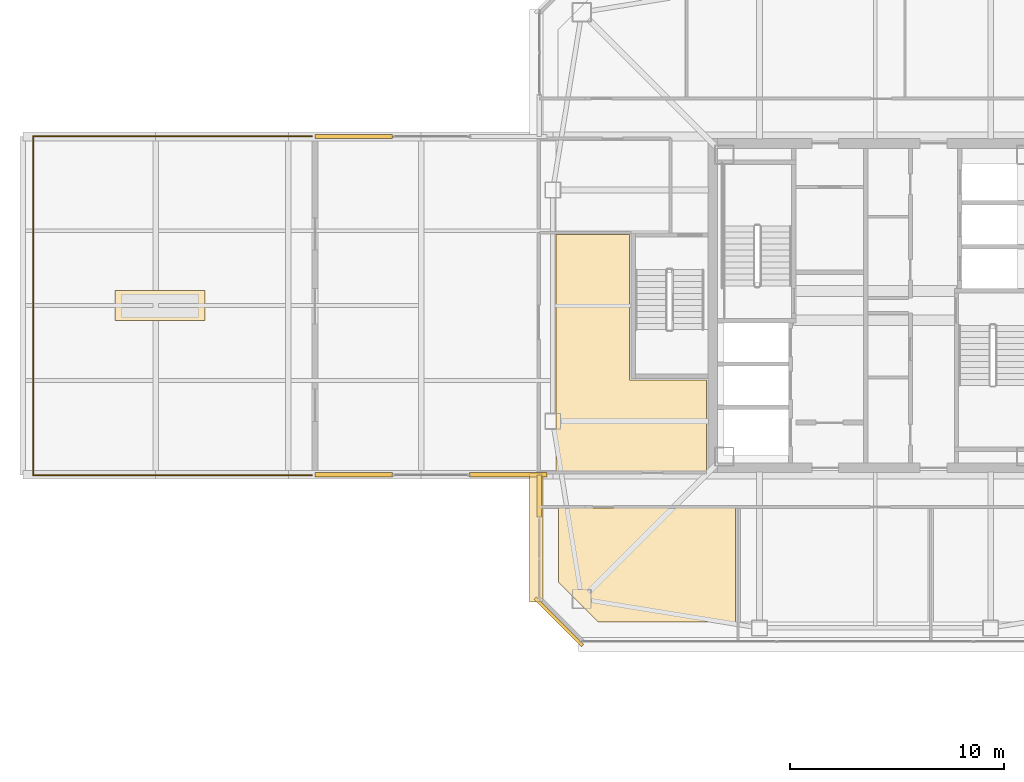
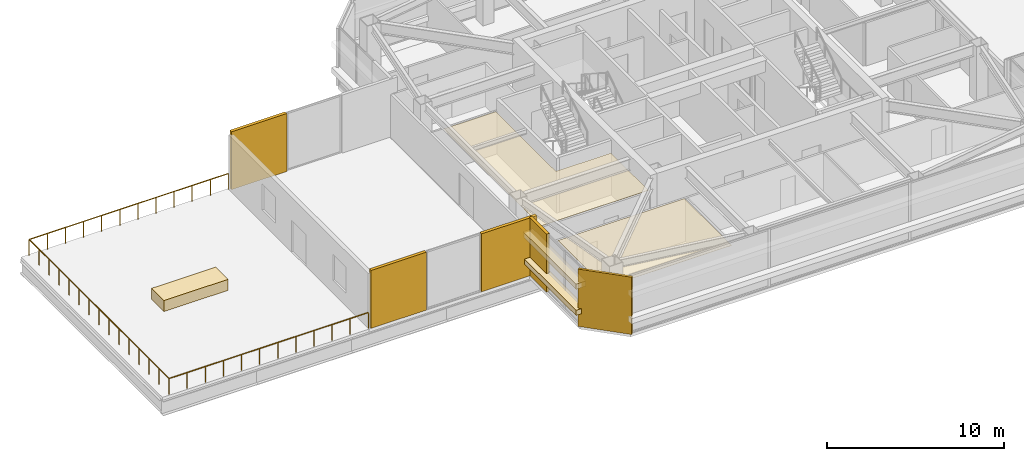
# One storey, part 44 of 51: 10 coverings, 3 railings.
"""IFC4 building model written with IfcOpenShell, lengths in metres."""

from ifc_helpers import new_model, si_unit, direction, frame, origin, origin_2d, place, context, subcontext, project, spatial, polyline, rectangle, outline, extrude, material, layer, layer_set, type_object, element, save


model = new_model("IFC4")

# Units and contexts
model_context = context("Model", 3, precision=1e-05, world=origin(), true_north=direction((0.0, 1.0)))
body_context = subcontext(model_context, "Body", "Model", "MODEL_VIEW")
ifc_project = project(units=[si_unit("LENGTHUNIT", "METRE"), si_unit("AREAUNIT", "SQUARE_METRE"), si_unit("VOLUMEUNIT", "CUBIC_METRE"), si_unit("PLANEANGLEUNIT", "RADIAN"), si_unit("MASSUNIT", "GRAM", prefix="KILO")], contexts=[model_context])

# Site, building, storey
site_placement = place(None, origin())
site = spatial("IfcSite", under=ifc_project, at=site_placement, CompositionType="ELEMENT")
building_placement = place(site_placement, origin())
building = spatial("IfcBuilding", under=site, at=building_placement, Name="Tashvorn Skyway Center", CompositionType="ELEMENT")
storey_placement = place(building_placement, frame((0.0, 0.0, 251.39990234375)))
storey = spatial("IfcBuildingStorey", under=building, at=storey_placement, Name="L68", CompositionType="ELEMENT", Elevation=251.39990234375)

# Coverings
ifc_material_1 = material(Name="Precast concrete C40/50", Category="concrete")
ifc_layer_1 = layer(ifc_material_1, 0.199951171875)
ifc_layer_set_1 = layer_set([ifc_layer_1], Name="Precast concrete C40/50")
covering_type_1 = type_object("IfcCoveringType", Name="COV-BRACE-CLAD", PredefinedType="CLADDING", material=ifc_layer_set_1)
covering_1_placement = place(storey_placement, frame((26.320068359375, 23.1201171875, 0.0), z_axis=(0.0, 0.0, 1.0), x_axis=(0.0, 1.0, 0.0)))
element("IfcCovering", 1, at=covering_1_placement, inside=storey, type_object=covering_type_1, Name="Tower 1 L68 West Curtain Wall A Mega-Brace Cladding Band 1", PredefinedType="CLADDING", context=body_context, shape_type="SweptSolid", body=[
    extrude(rectangle(XDim=1.9599609375, YDim=0.199951171875, at=origin_2d()), origin(), (0.0, 0.0, 1.0), 4.0),
])
for number, where, z_axis, x_axis, name in (
    (2, (24.873291015625, 24.10009765625, 0.0), (0.0, 0.0, 1.0), (-1.0, 0.0, 0.0), "Sky-Park L68 Cantilever Gallery South Curtain Wall Mega-Brace Cladding Band 1"),
    (3, (17.646728515625, 24.10009765625, 0.0), (0.0, 0.0, 1.0), (-1.0, 0.0, 0.0), "Sky-Park L68 Cantilever Gallery South Curtain Wall Mega-Brace Cladding Band 2"),
    (4, (17.646728515625, 39.89990234375, 0.0), (0.0, 0.0, 1.0), (1.0, 0.0, 0.0), "Sky-Park L68 Cantilever Gallery North Curtain Wall Mega-Brace Cladding Band 1"),
):
    element("IfcCovering", number, at=place(storey_placement, frame(where, z_axis=z_axis, x_axis=x_axis)), inside=storey, type_object=covering_type_1, Name=name, PredefinedType="CLADDING", context=body_context, shape_type="SweptSolid", body=[
        extrude(rectangle(XDim=3.61328125, YDim=0.199951171875, at=origin_2d()), origin(), (0.0, 0.0, 1.0), 4.0),
    ])
ifc_material_2 = material(Name="Mineral-fibre acoustic ceiling tile on suspended grid")
ifc_layer_2 = layer(ifc_material_2, 0.02001953125)
ifc_layer_set_2 = layer_set([ifc_layer_2], Name="Mineral-fibre acoustic ceiling tile on suspended grid")
covering_type_2 = type_object("IfcCoveringType", Name="COV-CEIL-20", PredefinedType="CEILING", material=ifc_layer_set_2)
covering_2_placement = place(storey_placement, frame((0.0, 0.0, 2.951171875)))
element("IfcCovering", 5, at=covering_2_placement, inside=storey, type_object=covering_type_2, Name="Tower 1 L68 Executive Suite Acoustic Ceiling", PredefinedType="CEILING", context=body_context, shape_type="SweptSolid", body=[
    extrude(outline(polyline([(27.219970703125, 22.56005859375), (35.47998046875, 22.56005859375), (35.47998046875, 17.219970703125), (29.080078125, 17.219970703125), (27.219970703125, 19.080078125), (27.219970703125, 22.56005859375)])), origin(), (0.0, 0.0, 1.0), 0.02001953125),
])
covering_3_placement = place(storey_placement, frame((0.0, 0.0, 2.951171875)))
element("IfcCovering", 6, at=covering_3_placement, inside=storey, type_object=covering_type_2, Name="Tower 1 L68 Breakout Lounge Acoustic Ceiling", PredefinedType="CEILING", context=body_context, shape_type="SweptSolid", body=[
    extrude(outline(polyline([(34.1201171875, 24.280029296875), (27.10009765625, 24.280029296875), (27.10009765625, 28.52001953125), (27.10009765625, 35.320068359375), (30.52001953125, 35.320068359375), (30.52001953125, 28.52001953125), (34.1201171875, 28.52001953125), (34.1201171875, 24.280029296875)])), origin(), (0.0, 0.0, 1.0), 0.02001953125),
])
ifc_material_3 = material(Name="Perforated ceramic-coated bronze aluminium solar screen", Category="aluminium")
ifc_layer_3 = layer(ifc_material_3, 0.85009765625)
ifc_layer_set_3 = layer_set([ifc_layer_3], Name="Perforated ceramic-coated bronze aluminium solar screen")
covering_type_3 = type_object("IfcCoveringType", Name="COV-SOLAR-BAND", PredefinedType="CLADDING", material=ifc_layer_set_3)
for number, where, z_axis, x_axis, name in (
    (7, (26.179931640625, 21.159912109375, 0.919921875), (0.0, 0.0, 1.0), (0.0, 1.0, 0.0), "L68 Perforated Ceramic-Metal Solar Screen Louvre Band West 1"),
    (8, (26.179931640625, 21.159912109375, 2.72021484375), (0.0, 0.0, 1.0), (0.0, 1.0, 0.0), "L68 Perforated Ceramic-Metal Solar Screen Louvre Band West 2"),
):
    element("IfcCovering", number, at=place(storey_placement, frame(where, z_axis=z_axis, x_axis=x_axis)), inside=storey, type_object=covering_type_3, Name=name, PredefinedType="CLADDING", context=body_context, shape_type="SweptSolid", body=[
        extrude(rectangle(XDim=6.0, YDim=0.639892578125, at=origin_2d()), origin(), (0.0, 0.0, 1.0), 0.360107421875),
    ])
ifc_layer_4 = layer(ifc_material_1, 0.35009765625)
ifc_layer_set_4 = layer_set([ifc_layer_4], Name="Precast concrete C40/50")
covering_type_4 = type_object("IfcCoveringType", Name="COV-STONE-TRIM", PredefinedType="CLADDING", material=ifc_layer_set_4)
covering_4_placement = place(storey_placement, frame((27.22998046875, 17.22998046875, 0.02001953125), z_axis=(0.0, 0.0, 1.0), x_axis=(-0.707106781187, 0.707106781187, 0.0)))
element("IfcCovering", 9, at=covering_4_placement, inside=storey, type_object=covering_type_4, Name="Tower 1 L68 SW Mojave Limestone Corner Quoin", PredefinedType="CLADDING", context=body_context, shape_type="SweptSolid", body=[
    extrude(rectangle(XDim=3.1298828125, YDim=0.139892578125, at=origin_2d()), origin(), (0.0, 0.0, 1.0), 3.9599609375),
])
covering_5_placement = place(storey_placement, frame((8.60009765625, 32.0, 0.0), z_axis=(0.0, 0.0, 1.0), x_axis=(1.0, 0.0, 0.0)))
element("IfcCovering", 10, at=covering_5_placement, inside=storey, type_object=covering_type_4, Name="Sky-Park L68 Cantilever Stone Planter Kerb", PredefinedType="CLADDING", context=body_context, shape_type="SweptSolid", body=[
    extrude(rectangle(XDim=4.199951171875, YDim=1.39990234375, at=origin_2d()), origin(), (0.0, 0.0, 1.0), 0.760009765625),
])

# Railings
ifc_material_4 = material(Name="Galvanized steel S355", Category="steel")
railing_type = type_object("IfcRailingType", Name="RAIL-GUARD-1120", PredefinedType="GUARDRAIL", material=ifc_material_4)
railing_1_placement = place(storey_placement, frame((15.699951171875, 24.080078125, 0.0)))
element("IfcRailing", 11, at=railing_1_placement, inside=storey, type_object=railing_type, Name="L68 Sky-Park Cantilever Terrace Guardrail 01", PredefinedType="GUARDRAIL", context=body_context, shape_type="SweptSolid", body=[
    extrude(rectangle(XDim=0.048095703125, YDim=0.048095703125, at=origin_2d()), frame((0.0, 0.0, 1.09619140625), z_axis=(-1.0, 0.0, 0.0), x_axis=(0.0, -1.0, 0.0)), (0.0, 0.0, 1.0), 13.02001953125),
    extrude(rectangle(XDim=0.0419921875, YDim=0.0419921875, at=origin_2d()), origin(), (0.0, 0.0, 1.0), 1.072021484375),
    extrude(rectangle(XDim=0.0419921875, YDim=0.0419921875, at=origin_2d()), frame((-1.18359375, 0.0, 0.0)), (0.0, 0.0, 1.0), 1.072021484375),
    extrude(rectangle(XDim=0.0419921875, YDim=0.0419921875, at=origin_2d()), frame((-2.3671875, 0.0, 0.0)), (0.0, 0.0, 1.0), 1.072021484375),
    extrude(rectangle(XDim=0.0419921875, YDim=0.0419921875, at=origin_2d()), frame((-3.551025390625, 0.0, 0.0)), (0.0, 0.0, 1.0), 1.072021484375),
    extrude(rectangle(XDim=0.0419921875, YDim=0.0419921875, at=origin_2d()), frame((-4.734619140625, 0.0, 0.0)), (0.0, 0.0, 1.0), 1.072021484375),
    extrude(rectangle(XDim=0.0419921875, YDim=0.0419921875, at=origin_2d()), frame((-5.918212890625, 0.0, 0.0)), (0.0, 0.0, 1.0), 1.072021484375),
    extrude(rectangle(XDim=0.0419921875, YDim=0.0419921875, at=origin_2d()), frame((-7.101806640625, 0.0, 0.0)), (0.0, 0.0, 1.0), 1.072021484375),
    extrude(rectangle(XDim=0.0419921875, YDim=0.0419921875, at=origin_2d()), frame((-8.285400390625, 0.0, 0.0)), (0.0, 0.0, 1.0), 1.072021484375),
    extrude(rectangle(XDim=0.0419921875, YDim=0.0419921875, at=origin_2d()), frame((-9.468994140625, 0.0, 0.0)), (0.0, 0.0, 1.0), 1.072021484375),
    extrude(rectangle(XDim=0.0419921875, YDim=0.0419921875, at=origin_2d()), frame((-10.65283203125, 0.0, 0.0)), (0.0, 0.0, 1.0), 1.072021484375),
    extrude(rectangle(XDim=0.0419921875, YDim=0.0419921875, at=origin_2d()), frame((-11.83642578125, 0.0, 0.0)), (0.0, 0.0, 1.0), 1.072021484375),
    extrude(rectangle(XDim=0.0419921875, YDim=0.0419921875, at=origin_2d()), frame((-13.02001953125, 0.0, 0.0)), (0.0, 0.0, 1.0), 1.072021484375),
])
railing_2_placement = place(storey_placement, frame((2.679931640625, 24.080078125, 0.0)))
element("IfcRailing", 12, at=railing_2_placement, inside=storey, type_object=railing_type, Name="L68 Sky-Park Cantilever Terrace Guardrail 02", PredefinedType="GUARDRAIL", context=body_context, shape_type="SweptSolid", body=[
    extrude(rectangle(XDim=0.048095703125, YDim=0.048095703125, at=origin_2d()), frame((0.0, 0.0, 1.09619140625), z_axis=(0.0, 1.0, 0.0), x_axis=(-1.0, 0.0, 0.0)), (0.0, 0.0, 1.0), 15.83984375),
    extrude(rectangle(XDim=0.0419921875, YDim=0.0419921875, at=origin_2d()), origin(), (0.0, 0.0, 1.0), 1.072021484375),
    extrude(rectangle(XDim=0.0419921875, YDim=0.0419921875, at=origin_2d()), frame((0.0, 1.13134765625, 0.0)), (0.0, 0.0, 1.0), 1.072021484375),
    extrude(rectangle(XDim=0.0419921875, YDim=0.0419921875, at=origin_2d()), frame((0.0, 2.262939453125, 0.0)), (0.0, 0.0, 1.0), 1.072021484375),
    extrude(rectangle(XDim=0.0419921875, YDim=0.0419921875, at=origin_2d()), frame((0.0, 3.394287109375, 0.0)), (0.0, 0.0, 1.0), 1.072021484375),
    extrude(rectangle(XDim=0.0419921875, YDim=0.0419921875, at=origin_2d()), frame((0.0, 4.525634765625, 0.0)), (0.0, 0.0, 1.0), 1.072021484375),
    extrude(rectangle(XDim=0.0419921875, YDim=0.0419921875, at=origin_2d()), frame((0.0, 5.656982421875, 0.0)), (0.0, 0.0, 1.0), 1.072021484375),
    extrude(rectangle(XDim=0.0419921875, YDim=0.0419921875, at=origin_2d()), frame((0.0, 6.78857421875, 0.0)), (0.0, 0.0, 1.0), 1.072021484375),
    extrude(rectangle(XDim=0.0419921875, YDim=0.0419921875, at=origin_2d()), frame((0.0, 7.919921875, 0.0)), (0.0, 0.0, 1.0), 1.072021484375),
    extrude(rectangle(XDim=0.0419921875, YDim=0.0419921875, at=origin_2d()), frame((0.0, 9.05126953125, 0.0)), (0.0, 0.0, 1.0), 1.072021484375),
    extrude(rectangle(XDim=0.0419921875, YDim=0.0419921875, at=origin_2d()), frame((0.0, 10.182861328125, 0.0)), (0.0, 0.0, 1.0), 1.072021484375),
    extrude(rectangle(XDim=0.0419921875, YDim=0.0419921875, at=origin_2d()), frame((0.0, 11.314208984375, 0.0)), (0.0, 0.0, 1.0), 1.072021484375),
    extrude(rectangle(XDim=0.0419921875, YDim=0.0419921875, at=origin_2d()), frame((0.0, 12.445556640625, 0.0)), (0.0, 0.0, 1.0), 1.072021484375),
    extrude(rectangle(XDim=0.0419921875, YDim=0.0419921875, at=origin_2d()), frame((0.0, 13.576904296875, 0.0)), (0.0, 0.0, 1.0), 1.072021484375),
    extrude(rectangle(XDim=0.0419921875, YDim=0.0419921875, at=origin_2d()), frame((0.0, 14.70849609375, 0.0)), (0.0, 0.0, 1.0), 1.072021484375),
    extrude(rectangle(XDim=0.0419921875, YDim=0.0419921875, at=origin_2d()), frame((0.0, 15.83984375, 0.0)), (0.0, 0.0, 1.0), 1.072021484375),
])
railing_3_placement = place(storey_placement, frame((2.679931640625, 39.919921875, 0.0)))
element("IfcRailing", 13, at=railing_3_placement, inside=storey, type_object=railing_type, Name="L68 Sky-Park Cantilever Terrace Guardrail 03", PredefinedType="GUARDRAIL", context=body_context, shape_type="SweptSolid", body=[
    extrude(rectangle(XDim=0.048095703125, YDim=0.048095703125, at=origin_2d()), frame((0.0, 0.0, 1.09619140625), z_axis=(1.0, 0.0, 0.0), x_axis=(0.0, 1.0, 0.0)), (0.0, 0.0, 1.0), 13.02001953125),
    extrude(rectangle(XDim=0.0419921875, YDim=0.0419921875, at=origin_2d()), origin(), (0.0, 0.0, 1.0), 1.072021484375),
    extrude(rectangle(XDim=0.0419921875, YDim=0.0419921875, at=origin_2d()), frame((1.18359375, 0.0, 0.0)), (0.0, 0.0, 1.0), 1.072021484375),
    extrude(rectangle(XDim=0.0419921875, YDim=0.0419921875, at=origin_2d()), frame((2.3671875, 0.0, 0.0)), (0.0, 0.0, 1.0), 1.072021484375),
    extrude(rectangle(XDim=0.0419921875, YDim=0.0419921875, at=origin_2d()), frame((3.551025390625, 0.0, 0.0)), (0.0, 0.0, 1.0), 1.072021484375),
    extrude(rectangle(XDim=0.0419921875, YDim=0.0419921875, at=origin_2d()), frame((4.734619140625, 0.0, 0.0)), (0.0, 0.0, 1.0), 1.072021484375),
    extrude(rectangle(XDim=0.0419921875, YDim=0.0419921875, at=origin_2d()), frame((5.918212890625, 0.0, 0.0)), (0.0, 0.0, 1.0), 1.072021484375),
    extrude(rectangle(XDim=0.0419921875, YDim=0.0419921875, at=origin_2d()), frame((7.101806640625, 0.0, 0.0)), (0.0, 0.0, 1.0), 1.072021484375),
    extrude(rectangle(XDim=0.0419921875, YDim=0.0419921875, at=origin_2d()), frame((8.285400390625, 0.0, 0.0)), (0.0, 0.0, 1.0), 1.072021484375),
    extrude(rectangle(XDim=0.0419921875, YDim=0.0419921875, at=origin_2d()), frame((9.468994140625, 0.0, 0.0)), (0.0, 0.0, 1.0), 1.072021484375),
    extrude(rectangle(XDim=0.0419921875, YDim=0.0419921875, at=origin_2d()), frame((10.65283203125, 0.0, 0.0)), (0.0, 0.0, 1.0), 1.072021484375),
    extrude(rectangle(XDim=0.0419921875, YDim=0.0419921875, at=origin_2d()), frame((11.83642578125, 0.0, 0.0)), (0.0, 0.0, 1.0), 1.072021484375),
    extrude(rectangle(XDim=0.0419921875, YDim=0.0419921875, at=origin_2d()), frame((13.02001953125, 0.0, 0.0)), (0.0, 0.0, 1.0), 1.072021484375),
])

save(model, "model.ifc")
